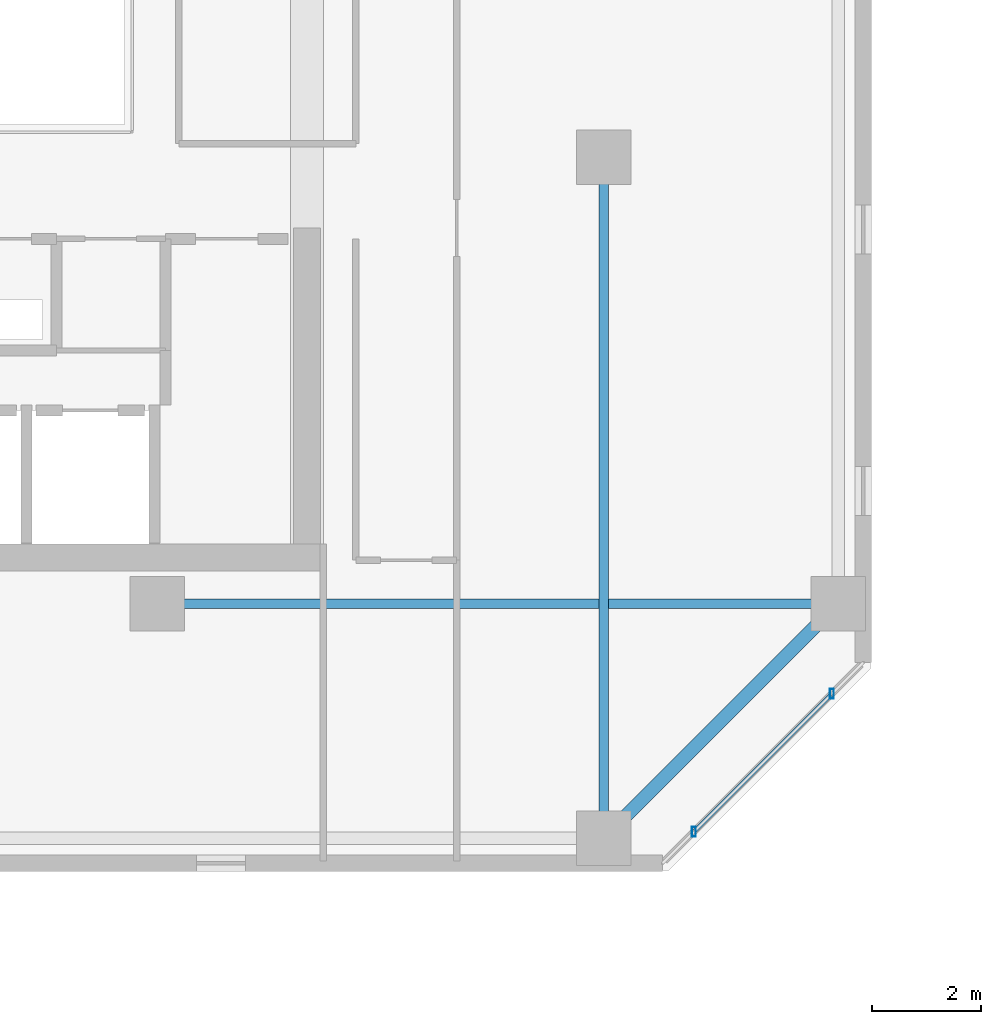
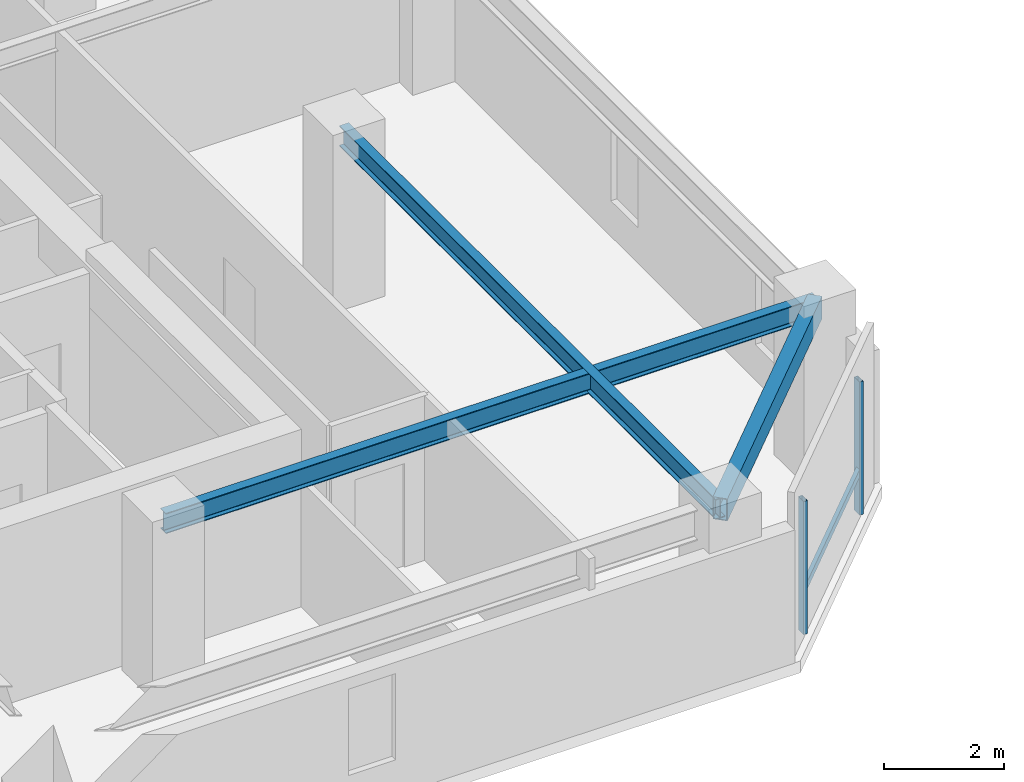
# One storey, part 5 of 33: 3 beams, 3 members, 1 element without a shape of its own.
"""IFC4 building model written with IfcOpenShell, lengths in metres."""

from ifc_helpers import new_model, si_unit, direction, frame, origin, origin_2d, place, context, subcontext, project, spatial, hollow_rectangle, i_section, extrude, material, material_profile, profile_set, type_object, element, aggregate, save


model = new_model("IFC4")

# Units and contexts
model_context = context("Model", 3, precision=1e-05, world=origin(), true_north=direction((0.0, 1.0)))
body_context = subcontext(model_context, "Body", "Model", "MODEL_VIEW")
ifc_project = project(units=[si_unit("LENGTHUNIT", "METRE"), si_unit("AREAUNIT", "SQUARE_METRE"), si_unit("VOLUMEUNIT", "CUBIC_METRE"), si_unit("PLANEANGLEUNIT", "RADIAN"), si_unit("MASSUNIT", "GRAM", prefix="KILO")], contexts=[model_context])

# Site, building, storey
site_placement = place(None, origin())
site = spatial("IfcSite", under=ifc_project, at=site_placement, CompositionType="ELEMENT")
building_placement = place(site_placement, origin())
building = spatial("IfcBuilding", under=site, at=building_placement, Name="Thornwick Lancets Civic Towers", CompositionType="ELEMENT")
storey_placement = place(building_placement, frame((0.0, 0.0, 207.300048828125)))
storey = spatial("IfcBuildingStorey", under=building, at=storey_placement, Name="L55", CompositionType="ELEMENT", Elevation=207.300048828125)

# Beams
ifc_material_1 = material(Name="Steel S355JR", Category="steel")
ifc_material_profile_1 = material_profile(ifc_material_1, i_section(OverallWidth=0.179443359375, OverallDepth=0.412841796875, WebThickness=0.009521484375, FlangeThickness=0.01611328125, FilletRadius=0.01025390625, at=origin_2d()), Name="UKB 406x178x74")
ifc_profile_set_1 = profile_set([ifc_material_profile_1], Name="Steel S355JR")
beam_type_1 = type_object("IfcBeamType", Name="BM_JOIST_406_74", PredefinedType="JOIST", material=ifc_profile_set_1)
for number, where, z_axis, x_axis, name in (
    (1, (38.5, 22.199951171875, 3.153564453125), (0.0, -1.0, 0.0), (1.0, 0.0, 0.0), "BM-RADIN-L55-A03"),
    (2, (30.300048828125, 14.0, 3.153564453125), (1.0, 0.0, 0.0), (0.0, 1.0, 0.0), "BM-RADIN-L55-A04"),
):
    element("IfcBeam", number, at=place(storey_placement, frame(where, z_axis=z_axis, x_axis=x_axis)), inside=storey, type_object=beam_type_1, Name=name, PredefinedType="JOIST", context=body_context, shape_type="SweptSolid", body=[
        extrude(i_section(OverallWidth=0.179443359375, OverallDepth=0.412841796875, WebThickness=0.009521484375, FlangeThickness=0.01611328125, FilletRadius=0.01025390625, at=origin_2d()), origin(), (0.0, 0.0, 1.0), 12.5),
    ])
ifc_material_profile_2 = material_profile(ifc_material_1, hollow_rectangle(XDim=0.25, YDim=0.449951171875, WallThickness=0.01611328125, at=origin_2d()), Name="RHS 450x250x16")
ifc_profile_set_2 = profile_set([ifc_material_profile_2], Name="Steel S355JR")
beam_type_2 = type_object("IfcBeamType", Name="BM_RING_RHS450", PredefinedType="BEAM", material=ifc_profile_set_2)
beam_placement = place(storey_placement, frame((38.5, 9.699951171875, 3.135009765625), z_axis=(0.707106781187, 0.707106781187, 0.0), x_axis=(-0.707106781187, 0.707106781187, 0.0)))
element("IfcBeam", 3, at=beam_placement, inside=storey, type_object=beam_type_2, Name="BM-CHAMF-L55-A-C0", PredefinedType="BEAM", context=body_context, shape_type="SweptSolid", body=[
    extrude(hollow_rectangle(XDim=0.25, YDim=0.449951171875, WallThickness=0.01611328125, at=origin_2d()), origin(), (0.0, 0.0, 1.0), 6.081298828125),
])

# Curtain wall, members
ifc_material_2 = material(Name="High-zone chamfered-corner unitised glass curtain wall", Category="glass")
curtain_wall_type = type_object("IfcCurtainWallType", Name="CW_SYS_05", PredefinedType="NOTDEFINED", material=ifc_material_2)
curtain_wall_placement = place(storey_placement, origin())
curtain_wall = element("IfcCurtainWall", 4, at=curtain_wall_placement, inside=storey, type_object=curtain_wall_type, Name="L55 Curtain Wall CW-L55-A-E1", PredefinedType="NOTDEFINED")
ifc_material_3 = material(Name="Thermally broken bronze aluminium S355", Category="steel")
ifc_material_profile_3 = material_profile(ifc_material_3, hollow_rectangle(XDim=0.074951171875, YDim=0.179931640625, WallThickness=0.006103515625, at=origin_2d()), Name="RHS 180x75x6")
ifc_profile_set_3 = profile_set([ifc_material_profile_3], Name="Thermally broken bronze aluminium S355")
member_type_1 = type_object("IfcMemberType", Name="CW_MUL_180", PredefinedType="MULLION", material=ifc_profile_set_3)
member_1_placement = place(storey_placement, frame((40.1533203125, 9.814453125, 0.0), z_axis=(0.0, 0.0, 1.0), x_axis=(1.0, 0.0, 0.0)))
member_1 = element("IfcMember", 5, at=member_1_placement, type_object=member_type_1, Name="CW-L55-A-E1 Mullion 0", PredefinedType="MULLION", context=body_context, shape_type="SweptSolid", body=[
    extrude(hollow_rectangle(XDim=0.074951171875, YDim=0.179931640625, WallThickness=0.006103515625, at=origin_2d()), origin(), (0.0, 0.0, 1.0), 2.699951171875),
])
member_2_placement = place(storey_placement, frame((42.685546875, 12.3466796875, 0.0), z_axis=(0.0, 0.0, 1.0), x_axis=(1.0, 0.0, 0.0)))
member_2 = element("IfcMember", 6, at=member_2_placement, type_object=member_type_1, Name="CW-L55-A-E1 Mullion 1", PredefinedType="MULLION", context=body_context, shape_type="SweptSolid", body=[
    extrude(hollow_rectangle(XDim=0.074951171875, YDim=0.179931640625, WallThickness=0.006103515625, at=origin_2d()), origin(), (0.0, 0.0, 1.0), 2.699951171875),
])
ifc_material_profile_4 = material_profile(ifc_material_3, hollow_rectangle(XDim=0.074951171875, YDim=0.14990234375, WallThickness=0.0048828125, at=origin_2d()), Name="RHS 150x75x5")
ifc_profile_set_4 = profile_set([ifc_material_profile_4], Name="Thermally broken bronze aluminium S355")
member_type_2 = type_object("IfcMemberType", Name="CW_TRN_150", PredefinedType="USERDEFINED", material=ifc_profile_set_4)
member_3_placement = place(storey_placement, frame((40.16748046875, 9.82861328125, 0.849853515625), z_axis=(0.707106781187, 0.707106781187, 0.0), x_axis=(-0.707106781187, 0.707106781187, 0.0)))
member_3 = element("IfcMember", 7, at=member_3_placement, type_object=member_type_2, Name="CW-L55-A-E1 Transom 0", ObjectType="TRANSOM", PredefinedType="USERDEFINED", context=body_context, shape_type="SweptSolid", body=[
    extrude(hollow_rectangle(XDim=0.074951171875, YDim=0.14990234375, WallThickness=0.0048828125, at=origin_2d()), origin(), (0.0, 0.0, 1.0), 3.541015625),
])
aggregate(curtain_wall, [member_1, member_2, member_3])

save(model, "model.ifc")
